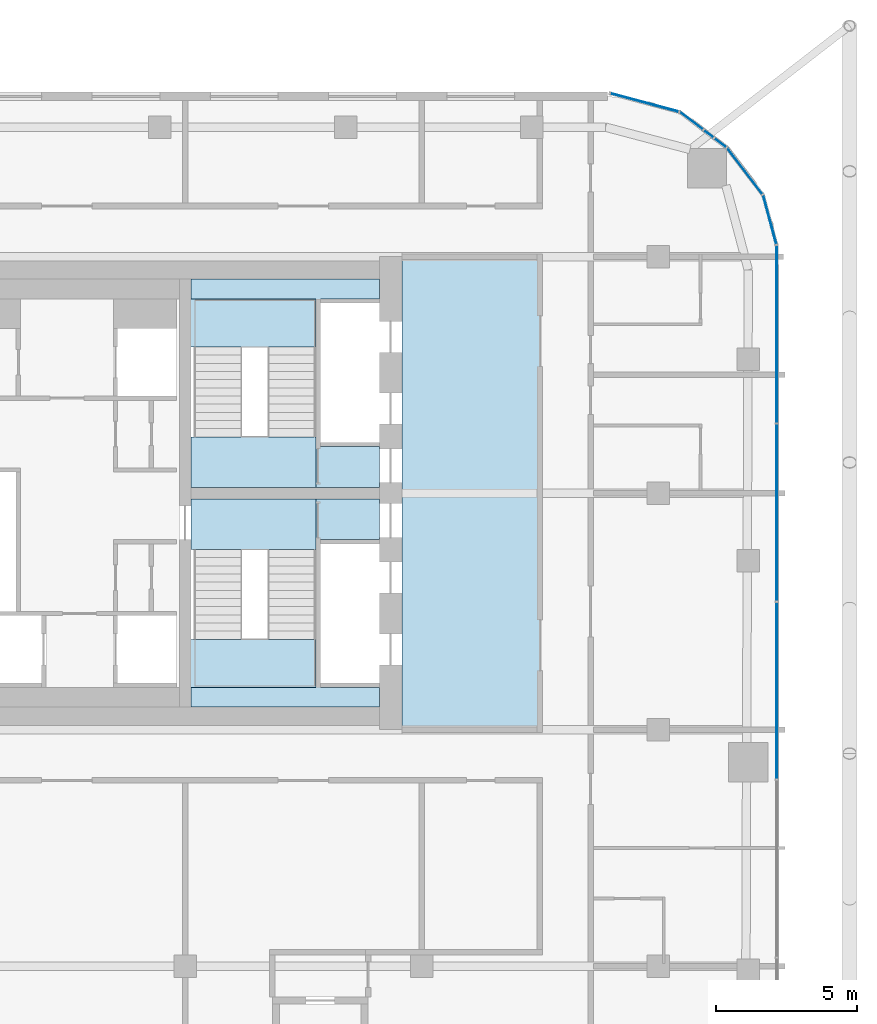
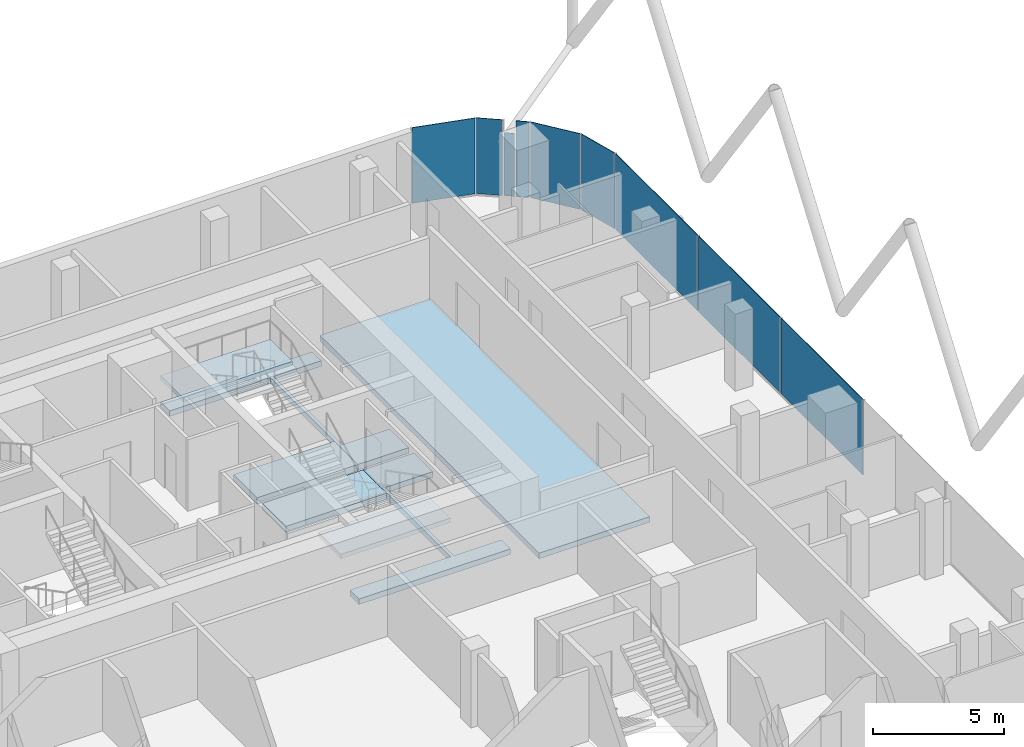
# One storey, part 19 of 28: 9 plates, 7 slabs, 9 elements without a shape of their own.
"""IFC4 building model written with IfcOpenShell, lengths in metres."""

import ifcopenshell
import ifcopenshell.guid

model = None  # the IFC model being written
_history = None  # IfcOwnerHistory: only IFC2X3 demands one
_inside = {}  # id of a spatial element -> (the spatial element, [elements in it])
_under = {}  # id of a project, library or spatial element -> (it, [spatial elements below it])
_declared = {}  # id of a project -> (the project, [libraries it declares])
_typed = {}  # id of a type object -> (the type object, [elements of that type])
_made_of = {}  # id of a material, layer set ... -> (it, [elements and type objects made of it])


def new_model(schema):
    """Start an empty IFC model of exactly this schema.

    Asked for "IFC4X3", IfcOpenShell would pick the latest addendum, in which some entities
    have other attributes; the version numbers below select the first issue.
    IFC2X3 requires an IfcOwnerHistory on every rooted entity: one is made here for all.
    """
    global model, _history
    if schema == "IFC4X3":
        model = ifcopenshell.file(schema_version=(4, 3, 0, 0))
    else:
        model = ifcopenshell.file(schema=schema)
    _inside.clear()
    _under.clear()
    _declared.clear()
    _typed.clear()
    _made_of.clear()
    _history = None
    if model.schema == "IFC2X3":
        org = make("IfcOrganization", Name="unknown")
        user = make(
            "IfcPersonAndOrganization",
            ThePerson=make("IfcPerson", FamilyName="unknown"),
            TheOrganization=org,
        )
        app = make(
            "IfcApplication",
            ApplicationDeveloper=org,
            Version="unknown",
            ApplicationFullName="unknown",
            ApplicationIdentifier="unknown",
        )
        _history = make(
            "IfcOwnerHistory",
            OwningUser=user,
            OwningApplication=app,
            ChangeAction="ADDED",
            CreationDate=0,
        )
    return model


def make(cls, **values):
    """One entity of the class cls with the attributes given. An attribute that is None is left unset."""
    return model.create_entity(
        cls, **{name: value for name, value in values.items() if value is not None}
    )


def rooted(cls, **values):
    """An entity with a GlobalId (a new one), such as an element, a storey or a relation."""
    return make(cls, GlobalId=ifcopenshell.guid.new(), OwnerHistory=_history, **values)


def si_unit(unit_type, name, prefix=None):
    """IfcSIUnit, for example si_unit("LENGTHUNIT", "METRE", prefix="MILLI")."""
    return make("IfcSIUnit", UnitType=unit_type, Prefix=prefix, Name=name)


def assignment(units):
    """IfcUnitAssignment: the units of a project."""
    return None if units is None else make("IfcUnitAssignment", Units=units)


def point(xyz):
    """IfcCartesianPoint."""
    return None if xyz is None else make("IfcCartesianPoint", Coordinates=xyz)


def direction(xyz):
    """IfcDirection."""
    return None if xyz is None else make("IfcDirection", DirectionRatios=xyz)


def frame(location, z_axis=None, x_axis=None):
    """IfcAxis2Placement3D, a coordinate frame: its origin and axes. An axis left out is left unset."""
    return make(
        "IfcAxis2Placement3D",
        Location=point(location),
        Axis=direction(z_axis),
        RefDirection=direction(x_axis),
    )


def frame_2d(location, x_axis=None):
    """IfcAxis2Placement2D, a coordinate frame in the plane: its origin and x axis."""
    return make(
        "IfcAxis2Placement2D", Location=point(location), RefDirection=direction(x_axis)
    )


def origin():
    """The frame at (0, 0, 0) with its axes left unset."""
    return frame((0.0, 0.0, 0.0))


def origin_2d():
    """The frame at (0, 0) in the plane with its x axis left unset."""
    return frame_2d((0.0, 0.0))


def place(relative_to, where):
    """IfcLocalPlacement: puts the frame where relative to a parent placement (None: the world)."""
    return make(
        "IfcLocalPlacement", PlacementRelTo=relative_to, RelativePlacement=where
    )


def context(
    kind, dimensions, precision=None, world=None, true_north=None, identifier=None
):
    """IfcGeometricRepresentationContext, for example the 3D "Model" context."""
    return make(
        "IfcGeometricRepresentationContext",
        ContextIdentifier=identifier,
        ContextType=kind,
        CoordinateSpaceDimension=dimensions,
        Precision=precision,
        WorldCoordinateSystem=world,
        TrueNorth=true_north,
    )


def subcontext(parent, identifier, kind, view, scale=None):
    """IfcGeometricRepresentationSubContext, for example "Body" below "Model"."""
    return make(
        "IfcGeometricRepresentationSubContext",
        ContextIdentifier=identifier,
        ContextType=kind,
        ParentContext=parent,
        TargetScale=scale,
        TargetView=view,
    )


def project(units=None, contexts=None):
    """IfcProject with its units and contexts."""
    return rooted(
        "IfcProject",
        Name="project",
        RepresentationContexts=contexts,
        UnitsInContext=assignment(units),
    )


def spatial(cls, under=None, at=None, **own):
    """A site, building, storey or space (cls), placed at a placement, below another one or the project."""
    s = rooted(cls, ObjectPlacement=at, **own)
    if under is not None:
        _under.setdefault(under.id(), (under, []))[1].append(s)
    return s


def polyline(points):
    """IfcPolyline through the points."""
    return make("IfcPolyline", Points=[point(p) for p in points])


def profile(cls, at=None, kind="AREA", **sizes):
    """A parametric profile (cls). Its sizes go by their IFC names, for example OverallWidth=200.0."""
    return make(cls, ProfileType=kind, Position=at, **sizes)


def rectangle(**sizes):
    """IfcRectangleProfileDef."""
    return profile("IfcRectangleProfileDef", **sizes)


def outline(outer, holes=None, kind="AREA"):
    """IfcArbitraryClosedProfileDef: a profile drawn as a closed curve; with holes, ...WithVoids."""
    if holes is None:
        return make("IfcArbitraryClosedProfileDef", ProfileType=kind, OuterCurve=outer)
    return make(
        "IfcArbitraryProfileDefWithVoids",
        ProfileType=kind,
        OuterCurve=outer,
        InnerCurves=holes,
    )


def extrude(swept, where, along, depth):
    """IfcExtrudedAreaSolid: the profile swept, set in the frame where, extruded along a direction by depth."""
    return make(
        "IfcExtrudedAreaSolid",
        SweptArea=swept,
        Position=where,
        ExtrudedDirection=direction(along),
        Depth=depth,
    )


def shape(context_of_items, identifier, shape_type, items):
    """IfcShapeRepresentation: the items that make up one representation, for example the "Body"."""
    return make(
        "IfcShapeRepresentation",
        ContextOfItems=context_of_items,
        RepresentationIdentifier=identifier,
        RepresentationType=shape_type,
        Items=items,
    )


def material(Name=None, Category=None):
    """IfcMaterial."""
    return make("IfcMaterial", Name=Name, Category=Category)


def layer(
    of_material, thickness, ventilated=None, Name=None, Category=None, Priority=None
):
    """IfcMaterialLayer: one layer of a wall or slab, of a material (None: an air gap)."""
    return make(
        "IfcMaterialLayer",
        Material=of_material,
        LayerThickness=thickness,
        IsVentilated=ventilated,
        Name=Name,
        Category=Category,
        Priority=Priority,
    )


def layer_set(layers, Name=None):
    """IfcMaterialLayerSet."""
    return make("IfcMaterialLayerSet", MaterialLayers=layers, LayerSetName=Name)


def made_of(thing, what):
    """Note that an element or type object is made of a material, layer set ...; save() writes the relation."""
    if what is not None:
        _made_of.setdefault(what.id(), (what, []))[1].append(thing)
    return thing


def type_object(cls, material=None, **own):
    """A type object (cls), such as IfcWallType, which elements share."""
    return made_of(rooted(cls, **own), material)


def element(
    cls,
    number,
    at=None,
    inside=None,
    cuts=None,
    type_object=None,
    material=None,
    context=None,
    identifier="Body",
    shape_type=None,
    held_by="IfcProductDefinitionShape",
    body=None,
    shapes=None,
    **own,
):
    """One element of the class cls, such as IfcWall. Its Tag is "e" and its number.

    at: its placement. inside: the storey or other place that contains it. cuts: it is an
    opening in that element (IfcRelVoidsElement). A single representation is given by context,
    identifier, shape_type and body (its items); several are given by shapes. held_by: the class
    of the entity that holds the representations. save() writes the other relations.
    """
    e = rooted(cls, Tag="e%d" % number, ObjectPlacement=at, **own)
    if body is not None:
        shapes = [shape(context, identifier, shape_type, body)]
    if shapes is not None:
        e.Representation = make(held_by, Representations=shapes)
    if inside is not None:
        _inside.setdefault(inside.id(), (inside, []))[1].append(e)
    if cuts is not None:
        rooted(
            "IfcRelVoidsElement", RelatingBuildingElement=cuts, RelatedOpeningElement=e
        )
    if type_object is not None:
        _typed.setdefault(type_object.id(), (type_object, []))[1].append(e)
    return made_of(e, material)


def aggregate(whole, parts):
    """IfcRelAggregates: a whole, such as a stair, and the parts it consists of."""
    return rooted("IfcRelAggregates", RelatingObject=whole, RelatedObjects=parts)


def save(model, path):
    """Write the relations noted so far, then the file.

    IfcRelAggregates (storeys below a building ...), IfcRelContainedInSpatialStructure (elements
    in a storey), IfcRelDefinesByType, IfcRelAssociatesMaterial and IfcRelDeclares: one each for
    every whole, place, type object, material and project.
    """
    for whole, parts in _under.values():
        aggregate(whole, parts)
    for where, things in _inside.values():
        rooted(
            "IfcRelContainedInSpatialStructure",
            RelatedElements=things,
            RelatingStructure=where,
        )
    for kind, things in _typed.values():
        rooted("IfcRelDefinesByType", RelatedObjects=things, RelatingType=kind)
    for what, things in _made_of.values():
        rooted("IfcRelAssociatesMaterial", RelatedObjects=things, RelatingMaterial=what)
    for by, libraries in _declared.values():
        rooted("IfcRelDeclares", RelatingContext=by, RelatedDefinitions=libraries)
    model.write(path)


model = new_model("IFC4")

# Units and contexts
model_context = context("Model", 3, precision=1e-05, world=origin(), true_north=direction((0.0, 1.0)))
body_context = subcontext(model_context, "Body", "Model", "MODEL_VIEW")
ifc_project = project(units=[si_unit("LENGTHUNIT", "METRE"), si_unit("AREAUNIT", "SQUARE_METRE"), si_unit("VOLUMEUNIT", "CUBIC_METRE"), si_unit("PLANEANGLEUNIT", "RADIAN"), si_unit("MASSUNIT", "GRAM", prefix="KILO")], contexts=[model_context])

# Site, building, storey
site_placement = place(None, origin())
site = spatial("IfcSite", under=ifc_project, at=site_placement, CompositionType="ELEMENT")
building_placement = place(site_placement, origin())
building = spatial("IfcBuilding", under=site, at=building_placement, Name="Marenta Gate Hotel Tower", CompositionType="ELEMENT")
storey_placement = place(building_placement, frame((0.0, 0.0, 198.5)))
storey = spatial("IfcBuildingStorey", under=building, at=storey_placement, Name="L45", CompositionType="ELEMENT", Elevation=198.5)

# Slabs
ifc_material_1 = material(Name="Concrete C40", Category="concrete")
ifc_layer_1 = layer(ifc_material_1, 0.260009765625)
ifc_layer_set_1 = layer_set([ifc_layer_1], Name="Concrete C40")
slab_type_1 = type_object("IfcSlabType", Name="Core floor slab 260", PredefinedType="FLOOR", material=ifc_layer_set_1)
slab_1_placement = place(storey_placement, frame((0.0, 0.0, -0.260009765625)))
element("IfcSlab", 1, at=slab_1_placement, inside=storey, type_object=slab_type_1, Name="L45-CF-1", PredefinedType="FLOOR", context=body_context, shape_type="SweptSolid", body=[
    extrude(outline(polyline([(11.89990234375, 0.0), (11.89990234375, 16.800048828125), (16.800048828125, 16.800048828125), (16.800048828125, 0.0), (11.89990234375, 0.0)])), origin(), (0.0, 0.0, 1.0), 0.260009765625),
])
slab_2_placement = place(storey_placement, frame((0.0, 0.0, -0.260009765625)))
element("IfcSlab", 2, at=slab_2_placement, inside=storey, type_object=slab_type_1, Name="L45-CF-2", PredefinedType="FLOOR", context=body_context, shape_type="SweptSolid", body=[
    extrude(outline(polyline([(8.85009765625, 1.5), (8.85009765625, 6.39990234375), (8.85009765625, 8.10009765625), (8.85009765625, 8.199951171875), (11.10009765625, 8.199951171875), (11.10009765625, 6.75), (9.0, 6.75), (9.0, 6.60009765625), (9.0, 4.199951171875), (9.0, 4.050048828125), (9.0, 1.64990234375), (9.0, 1.5), (11.10009765625, 1.5), (11.10009765625, 0.800048828125), (4.39990234375, 0.800048828125), (4.39990234375, 1.5), (8.85009765625, 1.5)])), origin(), (0.0, 0.0, 1.0), 0.260009765625),
])
slab_3_placement = place(storey_placement, frame((0.0, 0.0, -0.260009765625)))
element("IfcSlab", 3, at=slab_3_placement, inside=storey, type_object=slab_type_1, Name="L45-CF-3", PredefinedType="FLOOR", context=body_context, shape_type="SweptSolid", body=[
    extrude(outline(polyline([(8.85009765625, 15.300048828125), (4.39990234375, 15.300048828125), (4.39990234375, 16.0), (11.10009765625, 16.0), (11.10009765625, 15.300048828125), (9.0, 15.300048828125), (9.0, 15.14990234375), (9.0, 12.75), (9.0, 12.60009765625), (9.0, 10.199951171875), (9.0, 10.050048828125), (11.10009765625, 10.050048828125), (11.10009765625, 8.60009765625), (8.85009765625, 8.60009765625), (8.85009765625, 8.699951171875), (8.85009765625, 10.39990234375), (8.85009765625, 15.300048828125)])), origin(), (0.0, 0.0, 1.0), 0.260009765625),
])

# Stair, slab
ifc_material_2 = material(Name="Concrete C40", Category="concrete")
stair_type = type_object("IfcStairType", Name="Core exit stair 1700 wide", PredefinedType="HALF_TURN_STAIR", material=ifc_material_2)
stair_1_placement = place(storey_placement, origin())
stair_1 = element("IfcStair", 4, at=stair_1_placement, inside=storey, type_object=stair_type, Name="Exit stair 3", PredefinedType="HALF_TURN_STAIR")
ifc_material_3 = material(Name="Concrete C40", Category="concrete")
ifc_layer_2 = layer(ifc_material_3, 0.199951171875)
ifc_layer_set_2 = layer_set([ifc_layer_2], Name="Concrete C40")
slab_type_2 = type_object("IfcSlabType", Name="Core stair landing 200", PredefinedType="LANDING", material=ifc_layer_set_2)
slab_4_placement = place(storey_placement, frame((0.0, 0.0, 1.60009765625)))
slab_4 = element("IfcSlab", 5, at=slab_4_placement, type_object=slab_type_2, Name="SL-200 ST3 landing 1", PredefinedType="LANDING", context=body_context, shape_type="SweptSolid", body=[
    extrude(outline(polyline([(4.0, 1.5), (8.85009765625, 1.5), (8.85009765625, 3.2099609375), (4.0, 3.2099609375), (4.0, 1.5)])), origin(), (0.0, 0.0, 1.0), 0.199951171875),
])
aggregate(stair_1, [slab_4])

stair_2_placement = place(storey_placement, origin())
stair_2 = element("IfcStair", 6, at=stair_2_placement, inside=storey, type_object=stair_type, Name="Exit stair 4", PredefinedType="HALF_TURN_STAIR")
slab_5_placement = place(storey_placement, frame((0.0, 0.0, 1.60009765625)))
slab_5 = element("IfcSlab", 7, at=slab_5_placement, type_object=slab_type_2, Name="SL-200 ST4 landing 1", PredefinedType="LANDING", context=body_context, shape_type="SweptSolid", body=[
    extrude(outline(polyline([(4.0, 13.590087890625), (8.85009765625, 13.590087890625), (8.85009765625, 15.300048828125), (4.0, 15.300048828125), (4.0, 13.590087890625)])), origin(), (0.0, 0.0, 1.0), 0.199951171875),
])
aggregate(stair_2, [slab_5])

# Curtain wall, plates
ifc_material_4 = material(Name="Tinted insulated glass in bronze anodised frame", Category="glass")
ifc_layer_3 = layer(ifc_material_4, 0.1201171875)
ifc_layer_set_3 = layer_set([ifc_layer_3], Name="Tinted insulated glass in bronze anodised frame")
curtain_wall_type = type_object("IfcCurtainWallType", Name="Tower unitised curtain wall CW1", PredefinedType="NOTDEFINED", material=ifc_layer_set_3)
curtain_wall_1_placement = place(storey_placement, origin())
curtain_wall_1 = element("IfcCurtainWall", 8, at=curtain_wall_1_placement, inside=storey, type_object=curtain_wall_type, Name="CW1 run G19", PredefinedType="NOTDEFINED")
ifc_material_5 = material(Name="Tinted insulated glass", Category="glass")
ifc_layer_4 = layer(ifc_material_5, 0.028076171875)
ifc_layer_set_4 = layer_set([ifc_layer_4], Name="Tinted insulated glass")
plate_type = type_object("IfcPlateType", Name="Glass panel CW1 28 mm tinted insulated unit", PredefinedType="CURTAIN_PANEL", material=ifc_layer_set_4)
plate_1_placement = place(storey_placement, frame((25.214111328125, 1.38525390625, 0.06005859375), z_axis=(0.0, 0.0, 1.0), x_axis=(0.0, 1.0, 0.0)))
plate_1 = element("IfcPlate", 9, at=plate_1_placement, type_object=plate_type, Name="CW1 panel 4.1", PredefinedType="CURTAIN_PANEL", context=body_context, shape_type="SweptSolid", body=[
    extrude(rectangle(XDim=6.2626953125, YDim=0.028076171875, at=origin_2d()), origin(), (0.0, 0.0, 1.0), 3.5400390625),
])
plate_2_placement = place(storey_placement, frame((25.214111328125, 7.7080078125, 0.06005859375), z_axis=(0.0, 0.0, 1.0), x_axis=(0.0, 1.0, 0.0)))
plate_2 = element("IfcPlate", 10, at=plate_2_placement, type_object=plate_type, Name="CW1 panel 5.1", PredefinedType="CURTAIN_PANEL", context=body_context, shape_type="SweptSolid", body=[
    extrude(rectangle(XDim=6.2626953125, YDim=0.028076171875, at=origin_2d()), origin(), (0.0, 0.0, 1.0), 3.5400390625),
])
plate_3_placement = place(storey_placement, frame((25.214111328125, 14.045654296875, 0.06005859375), z_axis=(0.0, 0.0, 1.0), x_axis=(0.0, 1.0, 0.0)))
plate_3 = element("IfcPlate", 11, at=plate_3_placement, type_object=plate_type, Name="CW1 panel 6.1", PredefinedType="CURTAIN_PANEL", context=body_context, shape_type="SweptSolid", body=[
    extrude(rectangle(XDim=6.29248046875, YDim=0.028076171875, at=origin_2d()), origin(), (0.0, 0.0, 1.0), 3.5400390625),
])
aggregate(curtain_wall_1, [plate_1, plate_2, plate_3])

# Curtain wall, plate
curtain_wall_2_placement = place(storey_placement, origin())
curtain_wall_2 = element("IfcCurtainWall", 12, at=curtain_wall_2_placement, inside=storey, type_object=curtain_wall_type, Name="CW1 run G20", PredefinedType="NOTDEFINED")
plate_4_placement = place(storey_placement, frame((24.96630859375, 18.1162109375, 0.06005859375), z_axis=(0.0, 0.0, 1.0), x_axis=(-0.258824166754, 0.965924453932, 0.0)))
plate_4 = element("IfcPlate", 13, at=plate_4_placement, type_object=plate_type, Name="CW1 panel 1.1", PredefinedType="CURTAIN_PANEL", context=body_context, shape_type="SweptSolid", body=[
    extrude(rectangle(XDim=1.793701171875, YDim=0.028076171875, at=origin_2d()), origin(), (0.0, 0.0, 1.0), 3.5400390625),
])
aggregate(curtain_wall_2, [plate_4])

curtain_wall_3_placement = place(storey_placement, origin())
curtain_wall_3 = element("IfcCurtainWall", 14, at=curtain_wall_3_placement, inside=storey, type_object=curtain_wall_type, Name="CW1 run G21", PredefinedType="NOTDEFINED")
plate_5_placement = place(storey_placement, frame((24.0751953125, 19.84130859375, 0.06005859375), z_axis=(0.0, 0.0, 1.0), x_axis=(-0.608787499222, 0.793333335233, 0.0)))
plate_5 = element("IfcPlate", 15, at=plate_5_placement, type_object=plate_type, Name="CW1 panel 1.1", PredefinedType="CURTAIN_PANEL", context=body_context, shape_type="SweptSolid", body=[
    extrude(rectangle(XDim=2.045166015625, YDim=0.028076171875, at=origin_2d()), origin(), (0.0, 0.0, 1.0), 3.5400390625),
])
aggregate(curtain_wall_3, [plate_5])

curtain_wall_4_placement = place(storey_placement, origin())
curtain_wall_4 = element("IfcCurtainWall", 16, at=curtain_wall_4_placement, inside=storey, type_object=curtain_wall_type, Name="CW1 run G22", PredefinedType="NOTDEFINED")
plate_6_placement = place(storey_placement, frame((23.20458984375, 20.843017578125, 0.06005859375), z_axis=(0.0, 0.0, 1.0), x_axis=(-0.793347091368, 0.608769572677, 0.0)))
plate_6 = element("IfcPlate", 17, at=plate_6_placement, type_object=plate_type, Name="CW1 panel 1.1", PredefinedType="CURTAIN_PANEL", context=body_context, shape_type="SweptSolid", body=[
    extrude(rectangle(XDim=0.505126953125, YDim=0.028076171875, at=origin_2d()), origin(), (0.0, 0.0, 1.0), 3.5400390625),
])
aggregate(curtain_wall_4, [plate_6])

curtain_wall_5_placement = place(storey_placement, origin())
curtain_wall_5 = element("IfcCurtainWall", 18, at=curtain_wall_5_placement, inside=storey, type_object=curtain_wall_type, Name="CW1 run G23", PredefinedType="NOTDEFINED")
plate_7_placement = place(storey_placement, frame((22.794677734375, 21.157470703125, 0.06005859375), z_axis=(0.0, 0.0, 1.0), x_axis=(-0.793290143052, 0.608843780404, 0.0)))
plate_7 = element("IfcPlate", 19, at=plate_7_placement, type_object=plate_type, Name="CW1 panel 1.1", PredefinedType="CURTAIN_PANEL", context=body_context, shape_type="SweptSolid", body=[
    extrude(rectangle(XDim=0.408447265625, YDim=0.028076171875, at=origin_2d()), origin(), (0.0, 0.0, 1.0), 2.9404296875),
])
aggregate(curtain_wall_5, [plate_7])

curtain_wall_6_placement = place(storey_placement, origin())
curtain_wall_6 = element("IfcCurtainWall", 20, at=curtain_wall_6_placement, inside=storey, type_object=curtain_wall_type, Name="CW1 run G24", PredefinedType="NOTDEFINED")
plate_8_placement = place(storey_placement, frame((22.183837890625, 21.626220703125, 0.06005859375), z_axis=(0.0, 0.0, 1.0), x_axis=(-0.793344960162, 0.60877235005, 0.0)))
plate_8 = element("IfcPlate", 21, at=plate_8_placement, type_object=plate_type, Name="CW1 panel 1.1", PredefinedType="CURTAIN_PANEL", context=body_context, shape_type="SweptSolid", body=[
    extrude(rectangle(XDim=1.01171875, YDim=0.028076171875, at=origin_2d()), origin(), (0.0, 0.0, 1.0), 3.5400390625),
])
aggregate(curtain_wall_6, [plate_8])

curtain_wall_7_placement = place(storey_placement, origin())
curtain_wall_7 = element("IfcCurtainWall", 22, at=curtain_wall_7_placement, inside=storey, type_object=curtain_wall_type, Name="CW1 run G25", PredefinedType="NOTDEFINED")
plate_9_placement = place(storey_placement, frame((20.51953125, 22.272705078125, 0.06005859375), z_axis=(0.0, 0.0, 1.0), x_axis=(-0.96592961764, 0.258804895175, 0.0)))
plate_9 = element("IfcPlate", 23, at=plate_9_placement, type_object=plate_type, Name="CW1 panel 1.1", PredefinedType="CURTAIN_PANEL", context=body_context, shape_type="SweptSolid", body=[
    extrude(rectangle(XDim=2.4951171875, YDim=0.028076171875, at=origin_2d()), origin(), (0.0, 0.0, 1.0), 3.5400390625),
])
aggregate(curtain_wall_7, [plate_9])

# Slabs
ifc_material_6 = material(Name="Concrete C40", Category="concrete")
ifc_layer_5 = layer(ifc_material_6, 0.300048828125)
ifc_layer_set_5 = layer_set([ifc_layer_5], Name="Concrete C40")
slab_type_3 = type_object("IfcSlabType", Name="Stair floor landing slab 300", PredefinedType="FLOOR", material=ifc_layer_set_5)
slab_6_placement = place(storey_placement, frame((0.0, 0.0, -0.300048828125)))
element("IfcSlab", 24, at=slab_6_placement, inside=storey, type_object=slab_type_3, Name="L45-CL-ST3-1", PredefinedType="FLOOR", context=body_context, shape_type="SweptSolid", body=[
    extrude(outline(polyline([(4.39990234375, 6.39990234375), (4.39990234375, 8.199951171875), (8.85009765625, 8.199951171875), (8.85009765625, 8.10009765625), (8.85009765625, 6.39990234375), (4.39990234375, 6.39990234375)])), origin(), (0.0, 0.0, 1.0), 0.300048828125),
])
slab_7_placement = place(storey_placement, frame((0.0, 0.0, -0.300048828125)))
element("IfcSlab", 25, at=slab_7_placement, inside=storey, type_object=slab_type_3, Name="L45-CL-ST4-1", PredefinedType="FLOOR", context=body_context, shape_type="SweptSolid", body=[
    extrude(outline(polyline([(4.39990234375, 8.60009765625), (4.39990234375, 10.39990234375), (8.85009765625, 10.39990234375), (8.85009765625, 8.699951171875), (8.85009765625, 8.60009765625), (4.39990234375, 8.60009765625)])), origin(), (0.0, 0.0, 1.0), 0.300048828125),
])

save(model, "model.ifc")
